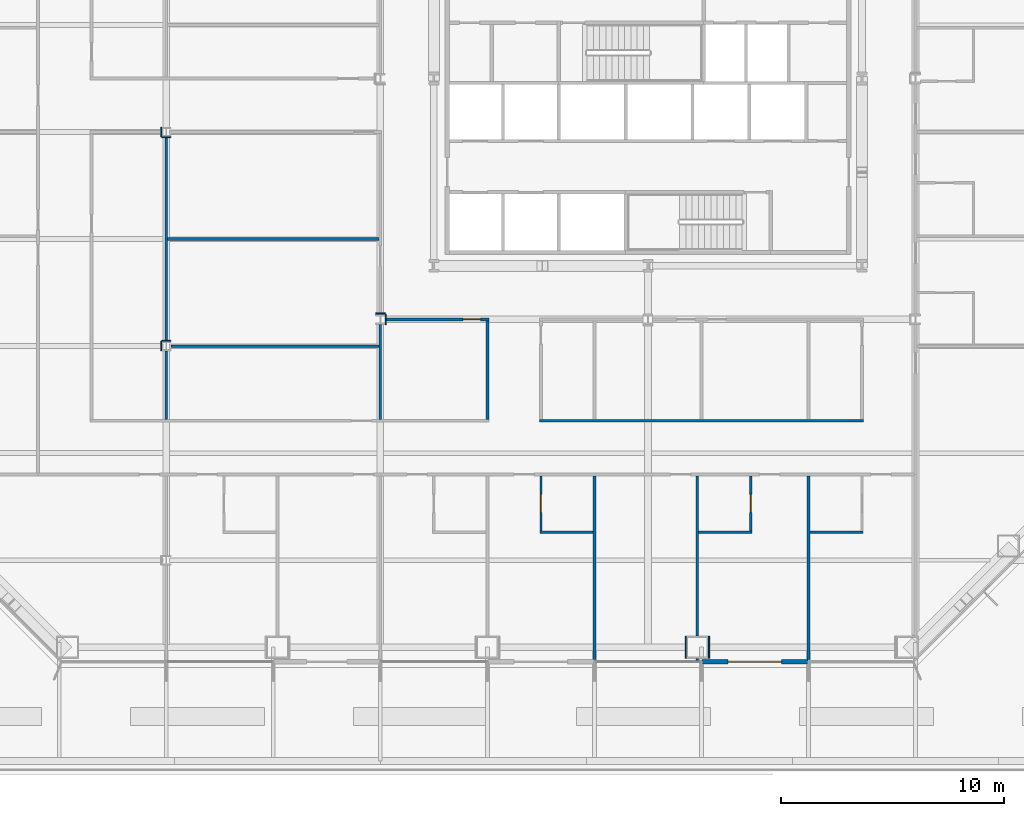
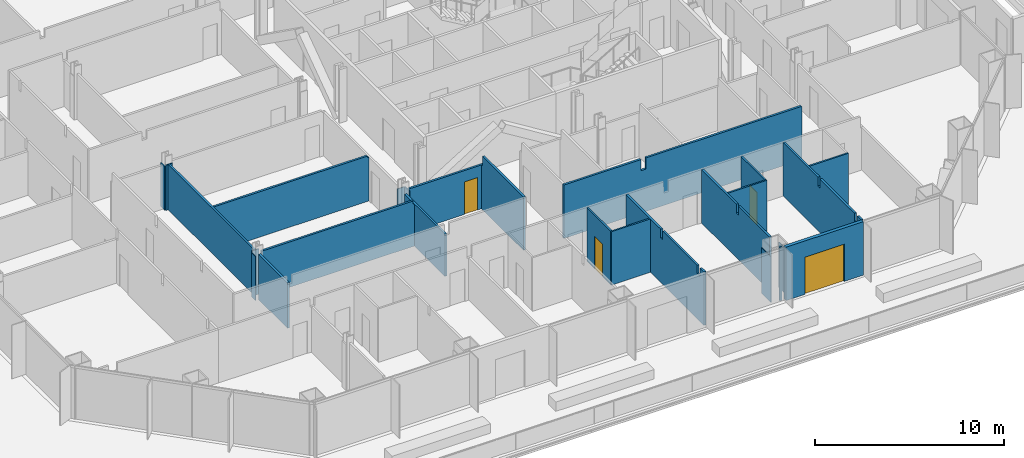
# One storey, part 10 of 18: 26 walls, 4 doors, 4 openings.
"""IFC4 building model written with IfcOpenShell, lengths in metres."""

from ifc_helpers import new_model, si_unit, direction, frame, frame_2d, origin, place, context, subcontext, project, spatial, polyline, rectangle, outline, extrude, material, layer, layer_set, type_object, element, fill, save


model = new_model("IFC4")

# Units and contexts
model_context = context("Model", 3, precision=1e-05, world=origin(), true_north=direction((0.0, 1.0)))
body_context = subcontext(model_context, "Body", "Model", "MODEL_VIEW")
ifc_project = project(units=[si_unit("LENGTHUNIT", "METRE"), si_unit("AREAUNIT", "SQUARE_METRE"), si_unit("VOLUMEUNIT", "CUBIC_METRE"), si_unit("PLANEANGLEUNIT", "RADIAN"), si_unit("MASSUNIT", "GRAM", prefix="KILO")], contexts=[model_context])

# Site, building, storey
site_placement = place(None, origin())
site = spatial("IfcSite", under=ifc_project, at=site_placement, CompositionType="ELEMENT")
building_placement = place(site_placement, origin())
building = spatial("IfcBuilding", under=site, at=building_placement, Name="Cairn Pilgrim Tower", CompositionType="ELEMENT")
storey_placement = place(building_placement, frame((0.0, 0.0, 40.199951171875)))
storey = spatial("IfcBuildingStorey", under=building, at=storey_placement, Name="L07", CompositionType="ELEMENT", Elevation=40.199951171875)

# Wall, opening, door
ifc_material_1 = material(Name="Bronze anodised aluminium insulated sandwich panel with mineral wool fill", Category="aluminium")
ifc_layer_1 = layer(ifc_material_1, 0.199951171875)
ifc_layer_set_1 = layer_set([ifc_layer_1], Name="BRONZE INFILL FRAME WALL 200")
wall_type_1 = type_object("IfcWallType", Name="BRONZE INFILL FRAME WALL 200", PredefinedType="NOTDEFINED", material=ifc_layer_set_1)
wall_1_placement = place(storey_placement, frame((9.6298828125, -23.75, 0.0), z_axis=(0.0, 0.0, 1.0), x_axis=(1.0, 0.0, 0.0)))
wall_1 = element("IfcWall", 1, at=wall_1_placement, inside=storey, type_object=wall_type_1, Name="Bronze infill frame wall IW-S7", PredefinedType="NOTDEFINED", context=body_context, shape_type="SweptSolid", body=[
    extrude(rectangle(XDim=4.740234375, YDim=0.199951171875, at=frame_2d((2.3701171875, 0.0))), origin(), (0.0, 0.0, 1.0), 3.449951171875),
])
opening_1_placement = place(wall_1_placement, frame((1.169921875, 0.0, 0.0)))
opening_1 = element("IfcOpeningElement", 2, at=opening_1_placement, cuts=wall_1, Name="Opening 0707B", PredefinedType="OPENING", context=body_context, shape_type="SweptSolid", body=[
    extrude(rectangle(XDim=2.39990234375, YDim=2.39990234375, at=frame_2d((1.199951171875, 1.199951171875))), frame((0.0, 0.10986328125, 0.0), z_axis=(0.0, -1.0, 0.0), x_axis=(1.0, 0.0, 0.0)), (0.0, 0.0, 1.0), 0.219970703125),
])
ifc_material_2 = material(Name="Bronze anodised aluminium frame with tinted low-E glass", Category="aluminium")
door_type_1 = type_object("IfcDoorType", Name="BALCONY SLIDING DOOR 2400x2400", OperationType="DOUBLE_DOOR_SLIDING", PredefinedType="DOOR", material=ifc_material_2)
door_1_placement = place(opening_1_placement, origin())
door_1 = element("IfcDoor", 3, at=door_1_placement, inside=storey, type_object=door_type_1, Name="Balcony sliding door 0707B", OperationType="SINGLE_SWING_LEFT", OverallHeight=2.39990234375, OverallWidth=2.39990234375, PredefinedType="DOOR", context=body_context, shape_type="SweptSolid", body=[
    extrude(rectangle(XDim=2.39990234375, YDim=2.39990234375, at=frame_2d((1.199951171875, 1.199951171875))), frame((0.0, 0.02490234375, 0.0), z_axis=(0.0, -1.0, 0.0), x_axis=(1.0, 0.0, 0.0)), (0.0, 0.0, 1.0), 0.050048828125),
])
fill(opening_1, door_1)

# Wall
ifc_material_3 = material(Name="Gypsum partition")
ifc_layer_2 = layer(ifc_material_3, 0.10009765625)
ifc_layer_set_2 = layer_set([ifc_layer_2], Name="PARTITION 100 DRYWALL")
wall_type_2 = type_object("IfcWallType", Name="PARTITION 100 DRYWALL", PredefinedType="PARTITIONING", material=ifc_layer_set_2)
wall_2_placement = place(storey_placement, frame((2.35009765625, -17.949951171875, 0.0), z_axis=(0.0, 0.0, 1.0), x_axis=(1.0, 0.0, 0.0)))
element("IfcWall", 4, at=wall_2_placement, inside=storey, type_object=wall_type_2, Name="PARTITION W015", PredefinedType="PARTITIONING", context=body_context, shape_type="SweptSolid", body=[
    extrude(rectangle(XDim=2.387451171875, YDim=0.10009765625, at=frame_2d((1.19384765625, 0.0))), origin(), (0.0, 0.0, 1.0), 3.449951171875),
])

# Wall, opening, door
wall_3_placement = place(storey_placement, frame((2.39990234375, -17.89990234375, 0.0), z_axis=(0.0, 0.0, 1.0), x_axis=(0.0, 1.0, 0.0)))
wall_3 = element("IfcWall", 5, at=wall_3_placement, inside=storey, type_object=wall_type_2, Name="PARTITION W016", PredefinedType="PARTITIONING", context=body_context, shape_type="SweptSolid", body=[
    extrude(rectangle(XDim=2.4873046875, YDim=0.10009765625, at=frame_2d((1.24365234375, 0.0))), origin(), (0.0, 0.0, 1.0), 3.449951171875),
])
opening_2_placement = place(wall_3_placement, frame((0.85009765625, 0.0, 0.0)))
opening_2 = element("IfcOpeningElement", 6, at=opening_2_placement, cuts=wall_3, Name="Opening 0705E", PredefinedType="OPENING", context=body_context, shape_type="SweptSolid", body=[
    extrude(rectangle(XDim=0.800048828125, YDim=2.10009765625, at=frame_2d((0.39990234375, 1.050048828125))), frame((0.0, 0.06005859375, 0.0), z_axis=(0.0, -1.0, 0.0), x_axis=(1.0, 0.0, 0.0)), (0.0, 0.0, 1.0), 0.1201171875),
])
ifc_material_4 = material(Name="Timber door leaf", Category="wood")
door_type_2 = type_object("IfcDoorType", Name="DOOR 800x2100", OperationType="NOTDEFINED", PredefinedType="DOOR", material=ifc_material_4)
door_2_placement = place(opening_2_placement, frame((0.800048828125, 0.0, 0.0), z_axis=(0.0, 0.0, 1.0), x_axis=(-1.0, 0.0, 0.0)))
door_2 = element("IfcDoor", 7, at=door_2_placement, inside=storey, type_object=door_type_2, Name="DOOR 0705E", OperationType="SINGLE_SWING_LEFT", OverallHeight=2.10009765625, OverallWidth=0.800048828125, PredefinedType="DOOR", context=body_context, shape_type="SweptSolid", body=[
    extrude(rectangle(XDim=0.800048828125, YDim=2.10009765625, at=frame_2d((0.39990234375, 1.050048828125))), frame((0.0, 0.02490234375, 0.0), z_axis=(0.0, -1.0, 0.0), x_axis=(1.0, 0.0, 0.0)), (0.0, 0.0, 1.0), 0.050048828125),
])
fill(opening_2, door_2)

# Wall
wall_4_placement = place(storey_placement, frame((9.4765625, -17.949951171875, 0.0), z_axis=(0.0, 0.0, 1.0), x_axis=(1.0, 0.0, 0.0)))
element("IfcWall", 8, at=wall_4_placement, inside=storey, type_object=wall_type_2, Name="PARTITION W017", PredefinedType="PARTITIONING", context=body_context, shape_type="SweptSolid", body=[
    extrude(rectangle(XDim=2.387451171875, YDim=0.10009765625, at=frame_2d((1.19384765625, 0.0))), origin(), (0.0, 0.0, 1.0), 3.449951171875),
])

# Wall, opening, door
wall_5_placement = place(storey_placement, frame((11.81396484375, -17.89990234375, 0.0), z_axis=(0.0, 0.0, 1.0), x_axis=(0.0, 1.0, 0.0)))
wall_5 = element("IfcWall", 9, at=wall_5_placement, inside=storey, type_object=wall_type_2, Name="PARTITION W018", PredefinedType="PARTITIONING", context=body_context, shape_type="SweptSolid", body=[
    extrude(rectangle(XDim=2.4873046875, YDim=0.10009765625, at=frame_2d((1.24365234375, 0.0))), origin(), (0.0, 0.0, 1.0), 3.449951171875),
])
opening_3_placement = place(wall_5_placement, frame((0.85009765625, 0.0, 0.0)))
opening_3 = element("IfcOpeningElement", 10, at=opening_3_placement, cuts=wall_5, Name="Opening 0707E", PredefinedType="OPENING", context=body_context, shape_type="SweptSolid", body=[
    extrude(rectangle(XDim=0.800048828125, YDim=2.10009765625, at=frame_2d((0.39990234375, 1.050048828125))), frame((0.0, 0.06005859375, 0.0), z_axis=(0.0, -1.0, 0.0), x_axis=(1.0, 0.0, 0.0)), (0.0, 0.0, 1.0), 0.1201171875),
])
door_3_placement = place(opening_3_placement, origin())
door_3 = element("IfcDoor", 11, at=door_3_placement, inside=storey, type_object=door_type_2, Name="DOOR 0707E", OperationType="SINGLE_SWING_RIGHT", OverallHeight=2.10009765625, OverallWidth=0.800048828125, PredefinedType="DOOR", context=body_context, shape_type="SweptSolid", body=[
    extrude(rectangle(XDim=0.800048828125, YDim=2.10009765625, at=frame_2d((0.39990234375, 1.050048828125))), frame((0.0, 0.02490234375, 0.0), z_axis=(0.0, -1.0, 0.0), x_axis=(1.0, 0.0, 0.0)), (0.0, 0.0, 1.0), 0.050048828125),
])
fill(opening_3, door_3)

# Walls
wall_6_placement = place(storey_placement, frame((14.46240234375, -17.949951171875, 0.0), z_axis=(0.0, 0.0, 1.0), x_axis=(1.0, 0.0, 0.0)))
element("IfcWall", 12, at=wall_6_placement, inside=storey, type_object=wall_type_2, Name="PARTITION W019", PredefinedType="PARTITIONING", context=body_context, shape_type="SweptSolid", body=[
    extrude(rectangle(XDim=2.3876953125, YDim=0.10009765625, at=frame_2d((1.19384765625, 0.0))), origin(), (0.0, 0.0, 1.0), 3.449951171875),
])
ifc_layer_3 = layer(ifc_material_3, 0.125)
ifc_layer_set_3 = layer_set([ifc_layer_3], Name="PARTITION 125 DRYWALL EI 60")
wall_type_3 = type_object("IfcWallType", Name="PARTITION 125 DRYWALL EI 60", PredefinedType="PARTITIONING", material=ifc_layer_set_3)
wall_7_placement = place(storey_placement, frame((4.800048828125, -23.64990234375, 0.0), z_axis=(0.0, 0.0, 1.0), x_axis=(0.0, 1.0, 0.0)))
element("IfcWall", 13, at=wall_7_placement, inside=storey, type_object=wall_type_3, Name="PARTITION W003", PredefinedType="PARTITIONING", context=body_context, shape_type="SweptSolid", body=[
    extrude(outline(polyline([(0.0, 0.0), (8.2373046875, 0.0), (8.237548828125, 3.449951171875), (4.554931640625, 3.449951171875), (4.552978515625, 2.880126953125), (4.344970703125, 2.880126953125), (4.343017578125, 3.449951171875), (0.699951171875, 3.449951171875), (0.697998046875, 2.929931640625), (0.39990234375, 2.929931640625), (0.39794921875, 3.449951171875), (0.0, 3.449951171875), (0.0, 0.0)])), frame((0.0, 0.0625, 0.0), z_axis=(0.0, -1.0, 0.0), x_axis=(1.0, 0.0, 0.0)), (0.0, 0.0, 1.0), 0.125),
])
wall_8_placement = place(storey_placement, frame((9.4140625, -23.702880859375, 0.0), z_axis=(0.0, 0.0, 1.0), x_axis=(0.0, 1.0, 0.0)))
element("IfcWall", 14, at=wall_8_placement, inside=storey, type_object=wall_type_3, Name="PARTITION W004", PredefinedType="PARTITIONING", context=body_context, shape_type="SweptSolid", body=[
    extrude(rectangle(XDim=0.102783203125, YDim=0.125, at=frame_2d((0.05126953125, 0.0))), origin(), (0.0, 0.0, 1.0), 3.449951171875),
])
wall_9_placement = place(storey_placement, frame((14.39990234375, -23.64990234375, 0.0), z_axis=(0.0, 0.0, 1.0), x_axis=(0.0, 1.0, 0.0)))
element("IfcWall", 15, at=wall_9_placement, inside=storey, type_object=wall_type_3, Name="PARTITION W005", PredefinedType="PARTITIONING", context=body_context, shape_type="SweptSolid", body=[
    extrude(outline(polyline([(0.0, 0.0), (8.2373046875, 0.0), (8.237548828125, 3.449951171875), (4.554931640625, 3.449951171875), (4.552978515625, 2.880126953125), (4.344970703125, 2.880126953125), (4.343017578125, 3.449951171875), (0.699951171875, 3.449951171875), (0.697998046875, 2.929931640625), (0.39990234375, 2.929931640625), (0.39794921875, 3.449951171875), (0.0, 3.449951171875), (0.0, 0.0)])), frame((0.0, 0.0625, 0.0), z_axis=(0.0, -1.0, 0.0), x_axis=(1.0, 0.0, 0.0)), (0.0, 0.0, 1.0), 0.125),
])
wall_10_placement = place(storey_placement, frame((9.4140625, -22.60009765625, 0.0), z_axis=(0.0, 0.0, 1.0), x_axis=(0.0, 1.0, 0.0)))
element("IfcWall", 16, at=wall_10_placement, inside=storey, type_object=wall_type_3, Name="PARTITION W008", PredefinedType="PARTITIONING", context=body_context, shape_type="SweptSolid", body=[
    extrude(outline(polyline([(0.0, 0.0), (7.1875, 0.0), (7.1875, 3.449951171875), (3.5048828125, 3.449951171875), (3.5029296875, 2.880126953125), (3.294921875, 2.880126953125), (3.29296875, 3.449951171875), (0.0, 3.449951171875), (0.0, 0.0)])), frame((0.0, 0.0625, 0.0), z_axis=(0.0, -1.0, 0.0), x_axis=(1.0, 0.0, 0.0)), (0.0, 0.0, 1.0), 0.125),
])
wall_11_placement = place(storey_placement, frame((2.33740234375, -12.949951171875, 0.0), z_axis=(0.0, 0.0, 1.0), x_axis=(1.0, 0.0, 0.0)))
element("IfcWall", 17, at=wall_11_placement, inside=storey, type_object=wall_type_3, Name="PARTITION W026", PredefinedType="PARTITIONING", context=body_context, shape_type="SweptSolid", body=[
    extrude(outline(polyline([(0.0, 0.0), (14.525146484375, 0.0), (14.52490234375, 3.449951171875), (5.012451171875, 3.449951171875), (5.010498046875, 2.72998046875), (4.71240234375, 2.72998046875), (4.71044921875, 3.449951171875), (0.0, 3.449951171875), (0.0, 0.0)])), frame((0.0, 0.0625, 0.0), z_axis=(0.0, -1.0, 0.0), x_axis=(1.0, 0.0, 0.0)), (0.0, 0.0, 1.0), 0.125),
])
wall_12_placement = place(storey_placement, frame((-14.39990234375, -12.887451171875, 0.0), z_axis=(0.0, 0.0, 1.0), x_axis=(0.0, 1.0, 0.0)))
element("IfcWall", 18, at=wall_12_placement, inside=storey, type_object=wall_type_3, Name="PARTITION W028", PredefinedType="PARTITIONING", context=body_context, shape_type="SweptSolid", body=[
    extrude(rectangle(XDim=3.074951171875, YDim=0.125, at=frame_2d((1.53759765625, 0.0))), origin(), (0.0, 0.0, 1.0), 2.929931640625),
])
wall_13_placement = place(storey_placement, frame((-4.800048828125, -12.887451171875, 0.0), z_axis=(0.0, 0.0, 1.0), x_axis=(0.0, 1.0, 0.0)))
element("IfcWall", 19, at=wall_13_placement, inside=storey, type_object=wall_type_3, Name="PARTITION W029", PredefinedType="PARTITIONING", context=body_context, shape_type="SweptSolid", body=[
    extrude(rectangle(XDim=4.25048828125, YDim=0.125, at=frame_2d((2.125244140625, 0.0))), origin(), (0.0, 0.0, 1.0), 2.72998046875),
])
wall_14_placement = place(storey_placement, frame((0.0, -12.887451171875, 0.0), z_axis=(0.0, 0.0, 1.0), x_axis=(0.0, 1.0, 0.0)))
element("IfcWall", 20, at=wall_14_placement, inside=storey, type_object=wall_type_3, Name="PARTITION W030", PredefinedType="PARTITIONING", context=body_context, shape_type="SweptSolid", body=[
    extrude(outline(polyline([(0.0, 0.0), (4.425048828125, 0.0), (4.425048828125, 2.830078125), (4.33740234375, 2.830078125), (4.33544921875, 3.449951171875), (0.0, 3.449951171875), (0.0, 0.0)])), frame((0.0, 0.0625, 0.0), z_axis=(0.0, -1.0, 0.0), x_axis=(1.0, 0.0, 0.0)), (0.0, 0.0, 1.0), 0.125),
])
wall_15_placement = place(storey_placement, frame((-14.195556640625, -9.60009765625, 0.0), z_axis=(0.0, 0.0, 1.0), x_axis=(1.0, 0.0, 0.0)))
element("IfcWall", 21, at=wall_15_placement, inside=storey, type_object=wall_type_3, Name="PARTITION W036", PredefinedType="PARTITIONING", context=body_context, shape_type="SweptSolid", body=[
    extrude(outline(polyline([(0.0, 0.0), (9.3330078125, 0.0), (9.3330078125, 2.72998046875), (9.24560546875, 2.72998046875), (9.243408203125, 2.929931640625), (0.0, 2.929931640625), (0.0, 0.0)])), frame((0.0, 0.0625, 0.0), z_axis=(0.0, -1.0, 0.0), x_axis=(1.0, 0.0, 0.0)), (0.0, 0.0, 1.0), 0.125),
])
wall_16_placement = place(storey_placement, frame((-14.39990234375, -9.387451171875, 0.0), z_axis=(0.0, 0.0, 1.0), x_axis=(0.0, 1.0, 0.0)))
element("IfcWall", 22, at=wall_16_placement, inside=storey, type_object=wall_type_3, Name="PARTITION W039", PredefinedType="PARTITIONING", context=body_context, shape_type="SweptSolid", body=[
    extrude(rectangle(XDim=9.175048828125, YDim=0.125, at=frame_2d((4.58740234375, 0.0))), origin(), (0.0, 0.0, 1.0), 2.929931640625),
])

# Wall, opening, door
wall_17_placement = place(storey_placement, frame((-4.587890625, -8.39990234375, 0.0), z_axis=(0.0, 0.0, 1.0), x_axis=(1.0, 0.0, 0.0)))
wall_17 = element("IfcWall", 23, at=wall_17_placement, inside=storey, type_object=wall_type_3, Name="PARTITION W040", PredefinedType="PARTITIONING", context=body_context, shape_type="SweptSolid", body=[
    extrude(rectangle(XDim=4.650390625, YDim=0.125, at=frame_2d((2.3251953125, 0.0))), origin(), (0.0, 0.0, 1.0), 2.830078125),
])
opening_4_placement = place(wall_17_placement, frame((3.488037109375, 0.0, 0.0)))
opening_4 = element("IfcOpeningElement", 24, at=opening_4_placement, cuts=wall_17, Name="Opening 0734", PredefinedType="OPENING", context=body_context, shape_type="SweptSolid", body=[
    extrude(rectangle(XDim=0.800048828125, YDim=2.10009765625, at=frame_2d((0.39990234375, 1.050048828125))), frame((0.0, 0.072509765625, 0.0), z_axis=(0.0, -1.0, 0.0), x_axis=(1.0, 0.0, 0.0)), (0.0, 0.0, 1.0), 0.14501953125),
])
ifc_material_5 = material(Name="Steel-faced fire door leaf", Category="steel")
door_type_3 = type_object("IfcDoorType", Name="FIRE DOOR 800x2100 FD30S", OperationType="NOTDEFINED", PredefinedType="DOOR", material=ifc_material_5)
door_4_placement = place(opening_4_placement, frame((0.800048828125, 0.0, 0.0), z_axis=(0.0, 0.0, 1.0), x_axis=(-1.0, 0.0, 0.0)))
door_4 = element("IfcDoor", 25, at=door_4_placement, inside=storey, type_object=door_type_3, Name="DOOR 0734", OperationType="SINGLE_SWING_LEFT", OverallHeight=2.10009765625, OverallWidth=0.800048828125, PredefinedType="DOOR", context=body_context, shape_type="SweptSolid", body=[
    extrude(rectangle(XDim=0.800048828125, YDim=2.10009765625, at=frame_2d((0.39990234375, 1.050048828125))), frame((0.0, 0.02490234375, 0.0), z_axis=(0.0, -1.0, 0.0), x_axis=(1.0, 0.0, 0.0)), (0.0, 0.0, 1.0), 0.050048828125),
])
fill(opening_4, door_4)

# Walls
wall_18_placement = place(storey_placement, frame((-14.33740234375, -4.800048828125, 0.0), z_axis=(0.0, 0.0, 1.0), x_axis=(1.0, 0.0, 0.0)))
element("IfcWall", 26, at=wall_18_placement, inside=storey, type_object=wall_type_3, Name="PARTITION W046", PredefinedType="PARTITIONING", context=body_context, shape_type="SweptSolid", body=[
    extrude(outline(polyline([(0.0, 0.0), (9.474853515625, 0.0), (9.47509765625, 2.830078125), (9.387451171875, 2.830078125), (9.385498046875, 2.929931640625), (0.0, 2.929931640625), (0.0, 0.0)])), frame((0.0, 0.0625, 0.0), z_axis=(0.0, -1.0, 0.0), x_axis=(1.0, 0.0, 0.0)), (0.0, 0.0, 1.0), 0.125),
])
ifc_layer_4 = layer(ifc_material_3, 0.050048828125)
ifc_layer_set_4 = layer_set([ifc_layer_4], Name="PARTITION 50 DRYWALL EI 60")
wall_type_4 = type_object("IfcWallType", Name="PARTITION 50 DRYWALL EI 60", PredefinedType="PARTITIONING", material=ifc_layer_set_4)
for number, where, z_axis, x_axis, name in (
    (27, (8.888671875, -23.60009765625, 0.0), (0.0, 0.0, 1.0), (0.0, 1.0, 0.0), "COLUMN CASING WC04"),
    (28, (9.938720703125, -23.60009765625, 0.0), (0.0, 0.0, 1.0), (0.0, 1.0, 0.0), "COLUMN CASING WC05"),
):
    element("IfcWall", number, at=place(storey_placement, frame(where, z_axis=z_axis, x_axis=x_axis)), inside=storey, type_object=wall_type_4, Name=name, PredefinedType="PARTITIONING", context=body_context, shape_type="SweptSolid", body=[
        extrude(rectangle(XDim=1.0, YDim=0.050048828125, at=frame_2d((0.5, 0.0))), origin(), (0.0, 0.0, 1.0), 2.929931640625),
    ])
wall_19_placement = place(storey_placement, frame((-14.62939453125, -9.8125, 0.0), z_axis=(0.0, 0.0, 1.0), x_axis=(0.0, 1.0, 0.0)))
element("IfcWall", 29, at=wall_19_placement, inside=storey, type_object=wall_type_4, Name="COLUMN CASING WC12", PredefinedType="PARTITIONING", context=body_context, shape_type="SweptSolid", body=[
    extrude(rectangle(XDim=0.425048828125, YDim=0.050048828125, at=frame_2d((0.21240234375, 0.0))), origin(), (0.0, 0.0, 1.0), 2.830078125),
])
wall_20_placement = place(storey_placement, frame((-14.62939453125, -0.21240234375, 0.0), z_axis=(0.0, 0.0, 1.0), x_axis=(0.0, 1.0, 0.0)))
element("IfcWall", 30, at=wall_20_placement, inside=storey, type_object=wall_type_4, Name="COLUMN CASING WC13", PredefinedType="PARTITIONING", context=body_context, shape_type="SweptSolid", body=[
    extrude(rectangle(XDim=0.4248046875, YDim=0.050048828125, at=frame_2d((0.21240234375, 0.0))), origin(), (0.0, 0.0, 1.0), 2.830078125),
])
wall_21_placement = place(storey_placement, frame((-4.56298828125, -8.636962890625, 0.0), z_axis=(0.0, 0.0, 1.0), x_axis=(0.0, 1.0, 0.0)))
element("IfcWall", 31, at=wall_21_placement, inside=storey, type_object=wall_type_4, Name="COLUMN CASING WC14", PredefinedType="PARTITIONING", context=body_context, shape_type="SweptSolid", body=[
    extrude(rectangle(XDim=0.473876953125, YDim=0.050048828125, at=frame_2d((0.23681640625, 0.0))), origin(), (0.0, 0.0, 1.0), 2.830078125),
])
wall_22_placement = place(storey_placement, frame((-14.6044921875, -9.362548828125, 0.0), z_axis=(0.0, 0.0, 1.0), x_axis=(1.0, 0.0, 0.0)))
element("IfcWall", 32, at=wall_22_placement, inside=storey, type_object=wall_type_4, Name="COLUMN CASING WC15", PredefinedType="PARTITIONING", context=body_context, shape_type="SweptSolid", body=[
    extrude(rectangle(XDim=0.408935546875, YDim=0.050048828125, at=frame_2d((0.20458984375, 0.0))), origin(), (0.0, 0.0, 1.0), 2.929931640625),
])
wall_23_placement = place(storey_placement, frame((-5.011962890625, -8.137939453125, 0.0), z_axis=(0.0, 0.0, 1.0), x_axis=(1.0, 0.0, 0.0)))
element("IfcWall", 33, at=wall_23_placement, inside=storey, type_object=wall_type_4, Name="COLUMN CASING WC16", PredefinedType="PARTITIONING", context=body_context, shape_type="SweptSolid", body=[
    extrude(rectangle(XDim=0.424072265625, YDim=0.050048828125, at=frame_2d((0.2119140625, 0.0))), origin(), (0.0, 0.0, 1.0), 2.830078125),
])
wall_24_placement = place(storey_placement, frame((-14.6044921875, -0.237548828125, 0.0), z_axis=(0.0, 0.0, 1.0), x_axis=(1.0, 0.0, 0.0)))
element("IfcWall", 34, at=wall_24_placement, inside=storey, type_object=wall_type_4, Name="COLUMN CASING WC22", PredefinedType="PARTITIONING", context=body_context, shape_type="SweptSolid", body=[
    extrude(rectangle(XDim=0.408935546875, YDim=0.050048828125, at=frame_2d((0.20458984375, 0.0))), origin(), (0.0, 0.0, 1.0), 2.929931640625),
])

save(model, "model.ifc")
